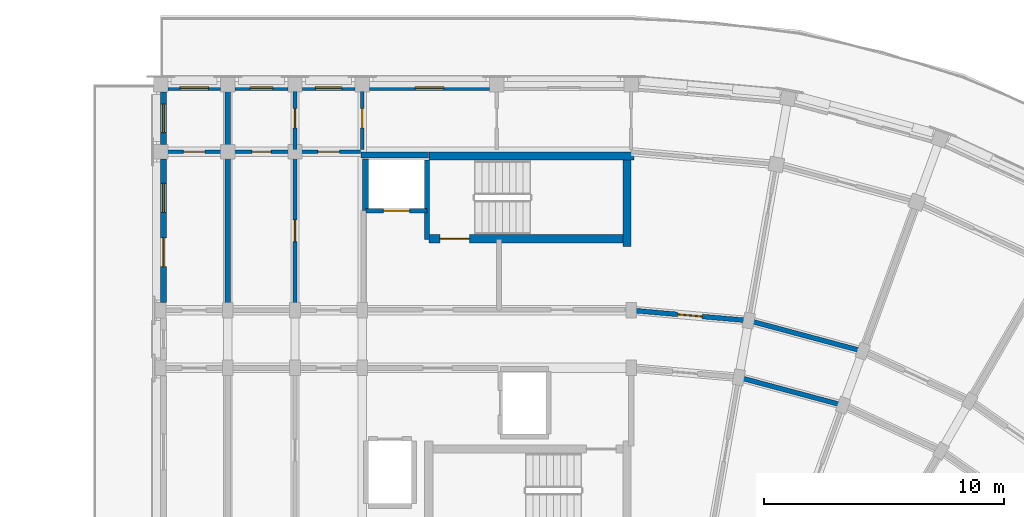
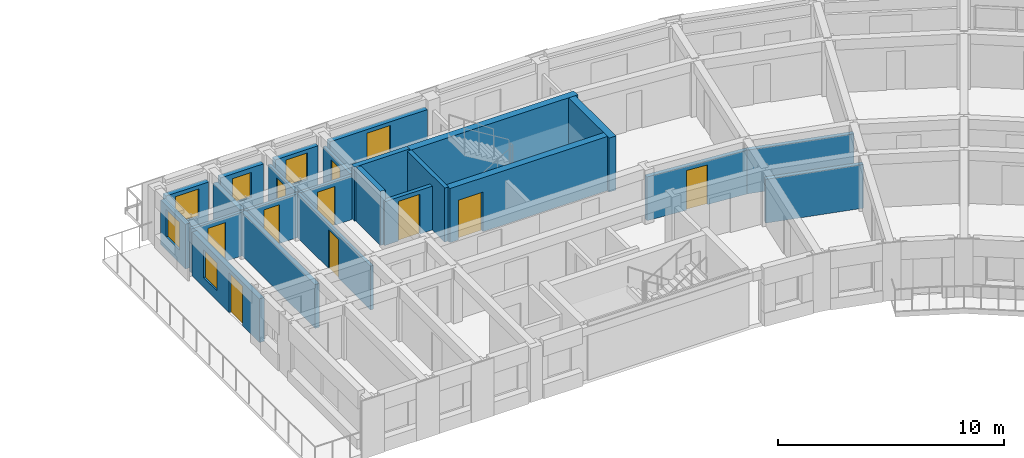
# One storey, part 19 of 36: 24 walls, 10 doors, 6 windows, 16 openings.
"""IFC4 building model written with IfcOpenShell, lengths in metres."""

from ifc_helpers import new_model, si_unit, direction, frame, frame_2d, origin, place, context, subcontext, project, spatial, rectangle, extrude, material, layer, layer_set, type_object, element, fill, save


model = new_model("IFC4")

# Units and contexts
model_context = context("Model", 3, precision=1e-05, world=origin(), true_north=direction((0.0, 1.0)))
body_context = subcontext(model_context, "Body", "Model", "MODEL_VIEW")
ifc_project = project(units=[si_unit("LENGTHUNIT", "METRE"), si_unit("AREAUNIT", "SQUARE_METRE"), si_unit("VOLUMEUNIT", "CUBIC_METRE"), si_unit("PLANEANGLEUNIT", "RADIAN"), si_unit("MASSUNIT", "GRAM", prefix="KILO")], contexts=[model_context])

# Site, building, storey
site_placement = place(None, origin())
site = spatial("IfcSite", under=ifc_project, at=site_placement, CompositionType="ELEMENT")
building_placement = place(site_placement, origin())
building = spatial("IfcBuilding", under=site, at=building_placement, Name="Kiranvali Square Residences", CompositionType="ELEMENT")
storey_placement = place(building_placement, frame((0.0, 0.0, 37.050048828125)))
storey = spatial("IfcBuildingStorey", under=building, at=storey_placement, Name="L11", CompositionType="ELEMENT", Elevation=37.050048828125)

# Wall, opening, door
ifc_material_1 = material(Name="Autoclaved aerated concrete blockwork masonry", Category="masonry")
ifc_layer_1 = layer(ifc_material_1, 0.199951171875)
ifc_layer_set_1 = layer_set([ifc_layer_1], Name="Autoclaved aerated concrete blockwork masonry")
wall_type_1 = type_object("IfcWallType", Name="WL-COR-200", PredefinedType="STANDARD", material=ifc_layer_set_1)
wall_1_placement = place(storey_placement, frame((119.800048828125, 116.0, 0.0), z_axis=(0.0, 0.0, 1.0), x_axis=(0.996193663584, -0.087167566415, 0.0)))
wall_1 = element("IfcWall", 1, at=wall_1_placement, inside=storey, type_object=wall_type_1, Name="L11 architectural wall WL-L11-B-CCO-0", PredefinedType="STANDARD", context=body_context, shape_type="SweptSolid", body=[
    extrude(rectangle(XDim=4.91552734375, YDim=0.199951171875, at=frame_2d((2.457763671875, 0.0))), origin(), (0.0, 0.0, 1.0), 2.3720703125),
])
opening_1_placement = place(wall_1_placement, frame((1.937744140625, 0.0, 0.0)))
opening_1 = element("IfcOpeningElement", 2, at=opening_1_placement, cuts=wall_1, Name="Opening FD-APT-60B", PredefinedType="OPENING", context=body_context, shape_type="SweptSolid", body=[
    extrude(rectangle(XDim=1.0400390625, YDim=2.14990234375, at=frame_2d((0.52001953125, 1.074951171875))), frame((0.0, 0.10986328125, 0.0), z_axis=(0.0, -1.0, 0.0), x_axis=(1.0, 0.0, 0.0)), (0.0, 0.0, 1.0), 0.219970703125),
])
ifc_material_2 = material(Name="Fire-rated acoustic hardwood and mineral-core door assembly", Category="wood")
door_type_1 = type_object("IfcDoorType", Name="DR-APT-1040", OperationType="NOTDEFINED", PredefinedType="DOOR", material=ifc_material_2)
door_1_placement = place(opening_1_placement, origin())
door_1 = element("IfcDoor", 3, at=door_1_placement, inside=storey, type_object=door_type_1, Name="L11 door DR-L11-1667 (DR-APT-1040)", OperationType="SINGLE_SWING_LEFT", OverallHeight=2.14990234375, OverallWidth=1.0400390625, PredefinedType="DOOR", context=body_context, shape_type="SweptSolid", body=[
    extrude(rectangle(XDim=1.0400390625, YDim=2.14990234375, at=frame_2d((0.52001953125, 1.074951171875))), frame((0.0, 0.02490234375, 0.0), z_axis=(0.0, -1.0, 0.0), x_axis=(1.0, 0.0, 0.0)), (0.0, 0.0, 1.0), 0.050048828125),
])
fill(opening_1, door_1)

# Walls
wall_2_placement = place(storey_placement, frame((124.280029296875, 113.2080078125, 0.0), z_axis=(0.0, 0.0, 1.0), x_axis=(0.965934240054, -0.258787642463, 0.0)))
element("IfcWall", 4, at=wall_2_placement, inside=storey, type_object=wall_type_1, Name="L11 architectural wall WL-L11-B-CCI-1", PredefinedType="STANDARD", context=body_context, shape_type="SweptSolid", body=[
    extrude(rectangle(XDim=4.497314453125, YDim=0.199951171875, at=frame_2d((2.24853515625, 0.0))), origin(), (0.0, 0.0, 1.0), 2.3720703125),
])
wall_3_placement = place(storey_placement, frame((124.69677734375, 115.571533203125, 0.0), z_axis=(0.0, 0.0, 1.0), x_axis=(0.965930095386, -0.258803112091, 0.0)))
element("IfcWall", 5, at=wall_3_placement, inside=storey, type_object=wall_type_1, Name="L11 architectural wall WL-L11-B-CCO-1", PredefinedType="STANDARD", context=body_context, shape_type="SweptSolid", body=[
    extrude(rectangle(XDim=4.915771484375, YDim=0.199951171875, at=frame_2d((2.4580078125, 0.0))), origin(), (0.0, 0.0, 1.0), 2.3720703125),
])
ifc_layer_2 = layer(ifc_material_1, 0.219970703125)
ifc_layer_set_2 = layer_set([ifc_layer_2], Name="Autoclaved aerated concrete blockwork masonry")
wall_type_2 = type_object("IfcWallType", Name="WL-DEM-220", PredefinedType="STANDARD", material=ifc_layer_set_2)
wall_4_placement = place(storey_placement, frame((103.0, 116.050048828125, 0.0), z_axis=(0.0, 0.0, 1.0), x_axis=(0.0, 1.0, 0.0)))
element("IfcWall", 6, at=wall_4_placement, inside=storey, type_object=wall_type_2, Name="L11 architectural wall WL-L11-B-A1TO1-2", PredefinedType="STANDARD", context=body_context, shape_type="SweptSolid", body=[
    extrude(rectangle(XDim=6.530029296875, YDim=0.219970703125, at=frame_2d((3.26513671875, 0.0))), origin(), (0.0, 0.0, 1.0), 2.3720703125),
])
wall_5_placement = place(storey_placement, frame((103.0, 122.699951171875, 0.0), z_axis=(0.0, 0.0, 1.0), x_axis=(0.0, 1.0, 0.0)))
element("IfcWall", 7, at=wall_5_placement, inside=storey, type_object=wall_type_2, Name="L11 architectural wall WL-L11-B-A1TO2-2", PredefinedType="STANDARD", context=body_context, shape_type="SweptSolid", body=[
    extrude(rectangle(XDim=2.420166015625, YDim=0.219970703125, at=frame_2d((1.2099609375, 0.0))), origin(), (0.0, 0.0, 1.0), 2.3720703125),
])

# Wall, opening, window
ifc_material_3 = material(Name="Breathable lime-rendered clay brick masonry", Category="masonry")
ifc_layer_3 = layer(ifc_material_3, 0.25)
ifc_layer_set_3 = layer_set([ifc_layer_3], Name="Breathable lime-rendered clay brick masonry")
wall_type_3 = type_object("IfcWallType", Name="WL-EXT-250", PredefinedType="STANDARD", material=ifc_layer_set_3)
wall_6_placement = place(storey_placement, frame((113.896484375, 125.27490234375, 0.0), z_axis=(0.0, 0.0, 1.0), x_axis=(-1.0, 0.0, 0.0)))
wall_6 = element("IfcWall", 8, at=wall_6_placement, inside=storey, type_object=wall_type_3, Name="L11 exterior wall B-L11-A1O-1", PredefinedType="STANDARD", context=body_context, shape_type="SweptSolid", body=[
    extrude(rectangle(XDim=4.992919921875, YDim=0.25, at=frame_2d((2.49658203125, 0.0))), origin(), (0.0, 0.0, 1.0), 2.47998046875),
])
opening_2_placement = place(wall_6_placement, frame((1.896484375, 0.0, 0.780029296875)))
opening_2 = element("IfcOpeningElement", 9, at=opening_2_placement, cuts=wall_6, Name="Opening W-06", PredefinedType="OPENING", context=body_context, shape_type="SweptSolid", body=[
    extrude(rectangle(XDim=1.199951171875, YDim=1.5, at=frame_2d((0.60009765625, 0.75))), frame((0.0, 0.135009765625, 0.0), z_axis=(0.0, -1.0, 0.0), x_axis=(1.0, 0.0, 0.0)), (0.0, 0.0, 1.0), 0.27001953125),
])
ifc_material_4 = material(Name="Solar-control low-e double glazing", Category="glass")
window_type_1 = type_object("IfcWindowType", Name="WIN-RES-1200x1500", PartitioningType="SINGLE_PANEL", PredefinedType="WINDOW", material=ifc_material_4)
window_1_placement = place(opening_2_placement, origin())
window_1 = element("IfcWindow", 10, at=window_1_placement, inside=storey, type_object=window_type_1, Name="L11 recessed window B-L11-A1O-1", OverallHeight=1.5, OverallWidth=1.199951171875, PartitioningType="SINGLE_PANEL", PredefinedType="WINDOW", context=body_context, shape_type="SweptSolid", body=[
    extrude(rectangle(XDim=1.199951171875, YDim=1.5, at=frame_2d((0.60009765625, 0.75))), frame((0.0, 0.030029296875, 0.0), z_axis=(0.0, -1.0, 0.0), x_axis=(1.0, 0.0, 0.0)), (0.0, 0.0, 1.0), 0.06005859375),
])
fill(opening_2, window_1)

wall_7_placement = place(storey_placement, frame((108.29638671875, 125.27490234375, 0.0), z_axis=(0.0, 0.0, 1.0), x_axis=(-1.0, 0.0, 0.0)))
wall_7 = element("IfcWall", 11, at=wall_7_placement, inside=storey, type_object=wall_type_3, Name="L11 exterior wall B-L11-A1O-2", PredefinedType="STANDARD", context=body_context, shape_type="SweptSolid", body=[
    extrude(rectangle(XDim=2.19287109375, YDim=0.25, at=frame_2d((1.096435546875, 0.0))), origin(), (0.0, 0.0, 1.0), 2.47998046875),
])
opening_3_placement = place(wall_7_placement, frame((0.54638671875, 0.0, 0.830078125)))
opening_3 = element("IfcOpeningElement", 12, at=opening_3_placement, cuts=wall_7, Name="Opening W-15", PredefinedType="OPENING", context=body_context, shape_type="SweptSolid", body=[
    extrude(rectangle(XDim=1.10009765625, YDim=1.449951171875, at=frame_2d((0.550048828125, 0.72509765625))), frame((0.0, 0.135009765625, 0.0), z_axis=(0.0, -1.0, 0.0), x_axis=(1.0, 0.0, 0.0)), (0.0, 0.0, 1.0), 0.27001953125),
])
window_type_2 = type_object("IfcWindowType", Name="WIN-RES-1100x1450", PartitioningType="SINGLE_PANEL", PredefinedType="WINDOW", material=ifc_material_4)
window_2_placement = place(opening_3_placement, origin())
window_2 = element("IfcWindow", 13, at=window_2_placement, inside=storey, type_object=window_type_2, Name="L11 recessed window B-L11-A1O-2", OverallHeight=1.449951171875, OverallWidth=1.10009765625, PartitioningType="SINGLE_PANEL", PredefinedType="WINDOW", context=body_context, shape_type="SweptSolid", body=[
    extrude(rectangle(XDim=1.10009765625, YDim=1.449951171875, at=frame_2d((0.550048828125, 0.72509765625))), frame((0.0, 0.030029296875, 0.0), z_axis=(0.0, -1.0, 0.0), x_axis=(1.0, 0.0, 0.0)), (0.0, 0.0, 1.0), 0.06005859375),
])
fill(opening_3, window_2)

wall_8_placement = place(storey_placement, frame((105.49658203125, 125.27490234375, 0.0), z_axis=(0.0, 0.0, 1.0), x_axis=(-1.0, 0.0, 0.0)))
wall_8 = element("IfcWall", 14, at=wall_8_placement, inside=storey, type_object=wall_type_3, Name="L11 exterior wall B-L11-A1O-3", PredefinedType="STANDARD", context=body_context, shape_type="SweptSolid", body=[
    extrude(rectangle(XDim=2.193115234375, YDim=0.25, at=frame_2d((1.0966796875, 0.0))), origin(), (0.0, 0.0, 1.0), 2.47998046875),
])
opening_4_placement = place(wall_8_placement, frame((0.62158203125, 0.0, 0.8798828125)))
opening_4 = element("IfcOpeningElement", 15, at=opening_4_placement, cuts=wall_8, Name="Opening W-16", PredefinedType="OPENING", context=body_context, shape_type="SweptSolid", body=[
    extrude(rectangle(XDim=0.949951171875, YDim=1.35009765625, at=frame_2d((0.47509765625, 0.675048828125))), frame((0.0, 0.135009765625, 0.0), z_axis=(0.0, -1.0, 0.0), x_axis=(1.0, 0.0, 0.0)), (0.0, 0.0, 1.0), 0.27001953125),
])
window_type_3 = type_object("IfcWindowType", Name="WIN-RES-950x1350", PartitioningType="SINGLE_PANEL", PredefinedType="WINDOW", material=ifc_material_4)
window_3_placement = place(opening_4_placement, origin())
window_3 = element("IfcWindow", 16, at=window_3_placement, inside=storey, type_object=window_type_3, Name="L11 recessed window B-L11-A1O-3", OverallHeight=1.35009765625, OverallWidth=0.949951171875, PartitioningType="SINGLE_PANEL", PredefinedType="WINDOW", context=body_context, shape_type="SweptSolid", body=[
    extrude(rectangle(XDim=0.949951171875, YDim=1.35009765625, at=frame_2d((0.47509765625, 0.675048828125))), frame((0.0, 0.030029296875, 0.0), z_axis=(0.0, -1.0, 0.0), x_axis=(1.0, 0.0, 0.0)), (0.0, 0.0, 1.0), 0.06005859375),
])
fill(opening_4, window_3)

wall_9_placement = place(storey_placement, frame((102.696533203125, 125.27490234375, 0.0), z_axis=(0.0, 0.0, 1.0), x_axis=(-1.0, 0.0, 0.0)))
wall_9 = element("IfcWall", 17, at=wall_9_placement, inside=storey, type_object=wall_type_3, Name="L11 exterior wall B-L11-A1O-4", PredefinedType="STANDARD", context=body_context, shape_type="SweptSolid", body=[
    extrude(rectangle(XDim=2.193115234375, YDim=0.25, at=frame_2d((1.0966796875, 0.0))), origin(), (0.0, 0.0, 1.0), 2.47998046875),
])
opening_5_placement = place(wall_9_placement, frame((0.49658203125, 0.0, 0.780029296875)))
opening_5 = element("IfcOpeningElement", 18, at=opening_5_placement, cuts=wall_9, Name="Opening W-06", PredefinedType="OPENING", context=body_context, shape_type="SweptSolid", body=[
    extrude(rectangle(XDim=1.199951171875, YDim=1.5, at=frame_2d((0.60009765625, 0.75))), frame((0.0, 0.135009765625, 0.0), z_axis=(0.0, -1.0, 0.0), x_axis=(1.0, 0.0, 0.0)), (0.0, 0.0, 1.0), 0.27001953125),
])
window_4_placement = place(opening_5_placement, origin())
window_4 = element("IfcWindow", 19, at=window_4_placement, inside=storey, type_object=window_type_1, Name="L11 recessed window B-L11-A1O-4", OverallHeight=1.5, OverallWidth=1.199951171875, PartitioningType="SINGLE_PANEL", PredefinedType="WINDOW", context=body_context, shape_type="SweptSolid", body=[
    extrude(rectangle(XDim=1.199951171875, YDim=1.5, at=frame_2d((0.60009765625, 0.75))), frame((0.0, 0.030029296875, 0.0), z_axis=(0.0, -1.0, 0.0), x_axis=(1.0, 0.0, 0.0)), (0.0, 0.0, 1.0), 0.06005859375),
])
fill(opening_5, window_4)

# Wall, openings, door, window
wall_10_placement = place(storey_placement, frame((100.324951171875, 116.32861328125, 0.0), z_axis=(0.0, 0.0, 1.0), x_axis=(0.0, 1.0, 0.0)))
wall_10 = element("IfcWall", 20, at=wall_10_placement, inside=storey, type_object=wall_type_3, Name="L11 exterior wall B-L11-A1END-2", PredefinedType="STANDARD", context=body_context, shape_type="SweptSolid", body=[
    extrude(rectangle(XDim=5.9677734375, YDim=0.25, at=frame_2d((2.98388671875, 0.0))), origin(), (0.0, 0.0, 1.0), 2.3720703125),
])
opening_6_placement = place(wall_10_placement, frame((3.75390625, 0.0, 0.52197265625)))
opening_6 = element("IfcOpeningElement", 21, at=opening_6_placement, cuts=wall_10, Name="Opening W-06", PredefinedType="OPENING", context=body_context, shape_type="SweptSolid", body=[
    extrude(rectangle(XDim=1.199951171875, YDim=1.5, at=frame_2d((0.60009765625, 0.75))), frame((0.0, 0.135009765625, 0.0), z_axis=(0.0, -1.0, 0.0), x_axis=(1.0, 0.0, 0.0)), (0.0, 0.0, 1.0), 0.27001953125),
])
opening_7_placement = place(wall_10_placement, frame((1.48876953125, 0.0, 0.0)))
opening_7 = element("IfcOpeningElement", 22, at=opening_7_placement, cuts=wall_10, Name="Opening ED-BAL-1", PredefinedType="OPENING", context=body_context, shape_type="SweptSolid", body=[
    extrude(rectangle(XDim=1.199951171875, YDim=2.14990234375, at=frame_2d((0.60009765625, 1.074951171875))), frame((0.0, 0.135009765625, 0.0), z_axis=(0.0, -1.0, 0.0), x_axis=(1.0, 0.0, 0.0)), (0.0, 0.0, 1.0), 0.27001953125),
])
ifc_material_5 = material(Name="Anodised bronze aluminium framing", Category="aluminium")
door_type_2 = type_object("IfcDoorType", Name="DR-BAL-1200", OperationType="NOTDEFINED", PredefinedType="DOOR", material=ifc_material_5)
door_2_placement = place(opening_7_placement, origin())
door_2 = element("IfcDoor", 23, at=door_2_placement, inside=storey, type_object=door_type_2, Name="L11 balcony terrace door", OperationType="SINGLE_SWING_RIGHT", OverallHeight=2.14990234375, OverallWidth=1.199951171875, PredefinedType="DOOR", context=body_context, shape_type="SweptSolid", body=[
    extrude(rectangle(XDim=1.199951171875, YDim=2.14990234375, at=frame_2d((0.60009765625, 1.074951171875))), frame((0.0, 0.02490234375, 0.0), z_axis=(0.0, -1.0, 0.0), x_axis=(1.0, 0.0, 0.0)), (0.0, 0.0, 1.0), 0.050048828125),
])
fill(opening_7, door_2)
window_5_placement = place(opening_6_placement, origin())
window_5 = element("IfcWindow", 24, at=window_5_placement, inside=storey, type_object=window_type_1, Name="L11 recessed window B-L11-A1END-2", OverallHeight=1.5, OverallWidth=1.199951171875, PartitioningType="SINGLE_PANEL", PredefinedType="WINDOW", context=body_context, shape_type="SweptSolid", body=[
    extrude(rectangle(XDim=1.199951171875, YDim=1.5, at=frame_2d((0.60009765625, 0.75))), frame((0.0, 0.030029296875, 0.0), z_axis=(0.0, -1.0, 0.0), x_axis=(1.0, 0.0, 0.0)), (0.0, 0.0, 1.0), 0.06005859375),
])
fill(opening_6, window_5)

# Wall, opening, window
wall_11_placement = place(storey_placement, frame((100.324951171875, 122.903564453125, 0.0), z_axis=(0.0, 0.0, 1.0), x_axis=(0.0, 1.0, 0.0)))
wall_11 = element("IfcWall", 25, at=wall_11_placement, inside=storey, type_object=wall_type_3, Name="L11 exterior wall B-L11-A1END-3", PredefinedType="STANDARD", context=body_context, shape_type="SweptSolid", body=[
    extrude(rectangle(XDim=2.19287109375, YDim=0.25, at=frame_2d((1.096435546875, 0.0))), origin(), (0.0, 0.0, 1.0), 2.411865234375),
])
opening_8_placement = place(wall_11_placement, frame((0.49658203125, 0.0, 0.7119140625)))
opening_8 = element("IfcOpeningElement", 26, at=opening_8_placement, cuts=wall_11, Name="Opening W-06", PredefinedType="OPENING", context=body_context, shape_type="SweptSolid", body=[
    extrude(rectangle(XDim=1.199951171875, YDim=1.5, at=frame_2d((0.60009765625, 0.75))), frame((0.0, 0.135009765625, 0.0), z_axis=(0.0, -1.0, 0.0), x_axis=(1.0, 0.0, 0.0)), (0.0, 0.0, 1.0), 0.27001953125),
])
window_6_placement = place(opening_8_placement, origin())
window_6 = element("IfcWindow", 27, at=window_6_placement, inside=storey, type_object=window_type_1, Name="L11 recessed window B-L11-A1END-3", OverallHeight=1.5, OverallWidth=1.199951171875, PartitioningType="SINGLE_PANEL", PredefinedType="WINDOW", context=body_context, shape_type="SweptSolid", body=[
    extrude(rectangle(XDim=1.199951171875, YDim=1.5, at=frame_2d((0.60009765625, 0.75))), frame((0.0, 0.030029296875, 0.0), z_axis=(0.0, -1.0, 0.0), x_axis=(1.0, 0.0, 0.0)), (0.0, 0.0, 1.0), 0.06005859375),
])
fill(opening_8, window_6)

# Wall, opening, door
ifc_layer_4 = layer(ifc_material_1, 0.199951171875)
ifc_layer_set_4 = layer_set([ifc_layer_4], Name="Autoclaved aerated concrete blockwork masonry")
wall_type_4 = type_object("IfcWallType", Name="WL-FFL-200", PredefinedType="STANDARD", material=ifc_layer_set_4)
wall_12_placement = place(storey_placement, frame((111.300048828125, 120.14990234375, 0.0), z_axis=(0.0, 0.0, 1.0), x_axis=(-1.0, 0.0, 0.0)))
wall_12 = element("IfcWall", 28, at=wall_12_placement, inside=storey, type_object=wall_type_4, Name="L11 architectural wall WL-L11-B-FF-LFT", PredefinedType="STANDARD", context=body_context, shape_type="SweptSolid", body=[
    extrude(rectangle(XDim=2.550048828125, YDim=0.199951171875, at=frame_2d((1.27490234375, 0.0))), origin(), (0.0, 0.0, 1.0), 2.3720703125),
])
opening_9_placement = place(wall_12_placement, frame((0.72509765625, 0.0, 0.0)))
opening_9 = element("IfcOpeningElement", 29, at=opening_9_placement, cuts=wall_12, Name="Opening LD-FF-110", PredefinedType="OPENING", context=body_context, shape_type="SweptSolid", body=[
    extrude(rectangle(XDim=1.10009765625, YDim=2.14990234375, at=frame_2d((0.550048828125, 1.074951171875))), frame((0.0, 0.10986328125, 0.0), z_axis=(0.0, -1.0, 0.0), x_axis=(1.0, 0.0, 0.0)), (0.0, 0.0, 1.0), 0.219970703125),
])
door_type_3 = type_object("IfcDoorType", Name="DR-LIFT-FF-1100", OperationType="SLIDING_TO_LEFT", PredefinedType="DOOR", material=ifc_material_2)
door_3_placement = place(opening_9_placement, origin())
door_3 = element("IfcDoor", 30, at=door_3_placement, inside=storey, type_object=door_type_3, Name="L11 door DR-L11-1635 (DR-LIFT-FF-1100)", OperationType="SLIDING_TO_LEFT", OverallHeight=2.14990234375, OverallWidth=1.10009765625, PredefinedType="DOOR", context=body_context, shape_type="SweptSolid", body=[
    extrude(rectangle(XDim=1.10009765625, YDim=2.14990234375, at=frame_2d((0.550048828125, 1.074951171875))), frame((0.0, 0.02490234375, 0.0), z_axis=(0.0, -1.0, 0.0), x_axis=(1.0, 0.0, 0.0)), (0.0, 0.0, 1.0), 0.050048828125),
])
fill(opening_9, door_3)

ifc_material_6 = material(Name="Acoustic gypsum board drylined partition", Category="gypsum")
ifc_layer_5 = layer(ifc_material_6, 0.14990234375)
ifc_layer_set_5 = layer_set([ifc_layer_5], Name="Acoustic gypsum board drylined partition")
wall_type_5 = type_object("IfcWallType", Name="WL-PRT-150", PredefinedType="PARTITIONING", material=ifc_layer_set_5)
wall_13_placement = place(storey_placement, frame((108.60009765625, 122.699951171875, 0.0), z_axis=(0.0, 0.0, 1.0), x_axis=(0.0, 1.0, 0.0)))
wall_13 = element("IfcWall", 31, at=wall_13_placement, inside=storey, type_object=wall_type_5, Name="L11 architectural wall WL-L11-B-A1TO2-0", PredefinedType="PARTITIONING", context=body_context, shape_type="SweptSolid", body=[
    extrude(rectangle(XDim=2.420166015625, YDim=0.14990234375, at=frame_2d((1.2099609375, 0.0))), origin(), (0.0, 0.0, 1.0), 2.3720703125),
])
opening_10_placement = place(wall_13_placement, frame((0.89990234375, 0.0, 0.0)))
opening_10 = element("IfcOpeningElement", 32, at=opening_10_placement, cuts=wall_13, Name="Opening ID-WET", PredefinedType="OPENING", context=body_context, shape_type="SweptSolid", body=[
    extrude(rectangle(XDim=0.800048828125, YDim=2.10009765625, at=frame_2d((0.39990234375, 1.050048828125))), frame((0.0, 0.0849609375, 0.0), z_axis=(0.0, -1.0, 0.0), x_axis=(1.0, 0.0, 0.0)), (0.0, 0.0, 1.0), 0.169921875),
])
ifc_material_7 = material(Name="Solid seasoned teak hardwood joinery", Category="wood")
door_type_4 = type_object("IfcDoorType", Name="DR-WET-800", OperationType="NOTDEFINED", PredefinedType="DOOR", material=ifc_material_7)
door_4_placement = place(opening_10_placement, frame((0.800048828125, 0.0, 0.0), z_axis=(0.0, 0.0, 1.0), x_axis=(-1.0, 0.0, 0.0)))
door_4 = element("IfcDoor", 33, at=door_4_placement, inside=storey, type_object=door_type_4, Name="L11 door DR-L11-1652 (DR-WET-800)", OperationType="SINGLE_SWING_RIGHT", OverallHeight=2.10009765625, OverallWidth=0.800048828125, PredefinedType="DOOR", context=body_context, shape_type="SweptSolid", body=[
    extrude(rectangle(XDim=0.800048828125, YDim=2.10009765625, at=frame_2d((0.39990234375, 1.050048828125))), frame((0.0, 0.02490234375, 0.0), z_axis=(0.0, -1.0, 0.0), x_axis=(1.0, 0.0, 0.0)), (0.0, 0.0, 1.0), 0.050048828125),
])
fill(opening_10, door_4)

wall_14_placement = place(storey_placement, frame((105.800048828125, 116.050048828125, 0.0), z_axis=(0.0, 0.0, 1.0), x_axis=(0.0, 1.0, 0.0)))
wall_14 = element("IfcWall", 34, at=wall_14_placement, inside=storey, type_object=wall_type_5, Name="L11 architectural wall WL-L11-B-A1TO1-1", PredefinedType="PARTITIONING", context=body_context, shape_type="SweptSolid", body=[
    extrude(rectangle(XDim=6.530029296875, YDim=0.14990234375, at=frame_2d((3.26513671875, 0.0))), origin(), (0.0, 0.0, 1.0), 2.3720703125),
])
opening_11_placement = place(wall_14_placement, frame((2.81494140625, 0.0, 0.0)))
opening_11 = element("IfcOpeningElement", 35, at=opening_11_placement, cuts=wall_14, Name="Opening ID-1", PredefinedType="OPENING", context=body_context, shape_type="SweptSolid", body=[
    extrude(rectangle(XDim=0.89990234375, YDim=2.10009765625, at=frame_2d((0.449951171875, 1.050048828125))), frame((0.0, 0.0849609375, 0.0), z_axis=(0.0, -1.0, 0.0), x_axis=(1.0, 0.0, 0.0)), (0.0, 0.0, 1.0), 0.169921875),
])
door_type_5 = type_object("IfcDoorType", Name="DR-INT-900", OperationType="NOTDEFINED", PredefinedType="DOOR", material=ifc_material_7)
door_5_placement = place(opening_11_placement, frame((0.89990234375, 0.0, 0.0), z_axis=(0.0, 0.0, 1.0), x_axis=(-1.0, 0.0, 0.0)))
door_5 = element("IfcDoor", 36, at=door_5_placement, inside=storey, type_object=door_type_5, Name="L11 door DR-L11-1654 (DR-INT-900)", OperationType="SINGLE_SWING_RIGHT", OverallHeight=2.10009765625, OverallWidth=0.89990234375, PredefinedType="DOOR", context=body_context, shape_type="SweptSolid", body=[
    extrude(rectangle(XDim=0.89990234375, YDim=2.10009765625, at=frame_2d((0.449951171875, 1.050048828125))), frame((0.0, 0.02490234375, 0.0), z_axis=(0.0, -1.0, 0.0), x_axis=(1.0, 0.0, 0.0)), (0.0, 0.0, 1.0), 0.050048828125),
])
fill(opening_11, door_5)

wall_15_placement = place(storey_placement, frame((105.800048828125, 122.699951171875, 0.0), z_axis=(0.0, 0.0, 1.0), x_axis=(0.0, 1.0, 0.0)))
wall_15 = element("IfcWall", 37, at=wall_15_placement, inside=storey, type_object=wall_type_5, Name="L11 architectural wall WL-L11-B-A1TO2-1", PredefinedType="PARTITIONING", context=body_context, shape_type="SweptSolid", body=[
    extrude(rectangle(XDim=2.420166015625, YDim=0.14990234375, at=frame_2d((1.2099609375, 0.0))), origin(), (0.0, 0.0, 1.0), 2.3720703125),
])
opening_12_placement = place(wall_15_placement, frame((0.89990234375, 0.0, 0.0)))
opening_12 = element("IfcOpeningElement", 38, at=opening_12_placement, cuts=wall_15, Name="Opening ID-WET", PredefinedType="OPENING", context=body_context, shape_type="SweptSolid", body=[
    extrude(rectangle(XDim=0.800048828125, YDim=2.10009765625, at=frame_2d((0.39990234375, 1.050048828125))), frame((0.0, 0.0849609375, 0.0), z_axis=(0.0, -1.0, 0.0), x_axis=(1.0, 0.0, 0.0)), (0.0, 0.0, 1.0), 0.169921875),
])
door_6_placement = place(opening_12_placement, origin())
door_6 = element("IfcDoor", 39, at=door_6_placement, inside=storey, type_object=door_type_4, Name="L11 door DR-L11-1655 (DR-WET-800)", OperationType="SINGLE_SWING_LEFT", OverallHeight=2.10009765625, OverallWidth=0.800048828125, PredefinedType="DOOR", context=body_context, shape_type="SweptSolid", body=[
    extrude(rectangle(XDim=0.800048828125, YDim=2.10009765625, at=frame_2d((0.39990234375, 1.050048828125))), frame((0.0, 0.02490234375, 0.0), z_axis=(0.0, -1.0, 0.0), x_axis=(1.0, 0.0, 0.0)), (0.0, 0.0, 1.0), 0.050048828125),
])
fill(opening_12, door_6)

# Walls
ifc_layer_6 = layer(ifc_material_1, 0.199951171875)
ifc_layer_set_6 = layer_set([ifc_layer_6], Name="Autoclaved aerated concrete blockwork masonry")
wall_type_6 = type_object("IfcWallType", Name="WL-SHF-200", PredefinedType="STANDARD", material=ifc_layer_set_6)
wall_16_placement = place(storey_placement, frame((111.300048828125, 118.949951171875, 0.0), z_axis=(0.0, 0.0, 1.0), x_axis=(0.0, 1.0, 0.0)))
element("IfcWall", 40, at=wall_16_placement, inside=storey, type_object=wall_type_6, Name="L11 architectural wall WL-L11-B-FF-SHF", PredefinedType="STANDARD", context=body_context, shape_type="SweptSolid", body=[
    extrude(rectangle(XDim=3.300048828125, YDim=0.199951171875, at=frame_2d((1.64990234375, 0.0))), origin(), (0.0, 0.0, 1.0), 2.929931640625),
])
ifc_material_8 = material(Name="Concrete M45 (45 MPa)", Category="concrete")
ifc_layer_7 = layer(ifc_material_8, 0.25)
ifc_layer_set_7 = layer_set([ifc_layer_7], Name="Concrete M45 (45 MPa)")
wall_type_7 = type_object("IfcWallType", Name="WL-SHR-250", PredefinedType="SHEAR", material=ifc_layer_set_7)
wall_17_placement = place(storey_placement, frame((111.35009765625, 122.47509765625, 0.0), z_axis=(0.0, 0.0, 1.0), x_axis=(-1.0, 0.0, 0.0)))
element("IfcWall", 41, at=wall_17_placement, inside=storey, type_object=wall_type_7, Name="Block B core shear wall SW-BFF-BK-L11", PredefinedType="SHEAR", context=body_context, shape_type="SweptSolid", body=[
    extrude(rectangle(XDim=2.800048828125, YDim=0.25, at=frame_2d((1.39990234375, 0.0))), origin(), (0.0, 0.0, 1.0), 2.929931640625),
])
wall_18_placement = place(storey_placement, frame((108.72509765625, 120.14990234375, 0.0), z_axis=(0.0, 0.0, 1.0), x_axis=(0.0, 1.0, 0.0)))
element("IfcWall", 42, at=wall_18_placement, inside=storey, type_object=wall_type_7, Name="Block B core shear wall SW-BFF-SD-L11", PredefinedType="SHEAR", context=body_context, shape_type="SweptSolid", body=[
    extrude(rectangle(XDim=2.150146484375, YDim=0.25, at=frame_2d((1.0751953125, 0.0))), origin(), (0.0, 0.0, 1.0), 2.929931640625),
])
ifc_layer_8 = layer(ifc_material_8, 0.320068359375)
ifc_layer_set_8 = layer_set([ifc_layer_8], Name="Concrete M45 (45 MPa)")
wall_type_8 = type_object("IfcWallType", Name="WL-SHR-320", PredefinedType="SHEAR", material=ifc_layer_set_8)
wall_19_placement = place(storey_placement, frame((119.919921875, 122.425048828125, 0.0), z_axis=(0.0, 0.0, 1.0), x_axis=(-1.0, 0.0, 0.0)))
element("IfcWall", 43, at=wall_19_placement, inside=storey, type_object=wall_type_8, Name="Block B core shear wall SW-B1-OUT-L11", PredefinedType="SHEAR", context=body_context, shape_type="SweptSolid", body=[
    extrude(rectangle(XDim=8.544921875, YDim=0.35009765625, at=frame_2d((4.2724609375, 0.0))), origin(), (0.0, 0.0, 1.0), 2.929931640625),
])

# Wall, opening, door
wall_20_placement = place(storey_placement, frame((119.449951171875, 118.97509765625, 0.0), z_axis=(0.0, 0.0, 1.0), x_axis=(-1.0, 0.0, 0.0)))
wall_20 = element("IfcWall", 44, at=wall_20_placement, inside=storey, type_object=wall_type_8, Name="Block B core shear wall SW-B1-IN-L11", PredefinedType="SHEAR", context=body_context, shape_type="SweptSolid", body=[
    extrude(rectangle(XDim=8.074951171875, YDim=0.35009765625, at=frame_2d((4.03759765625, 0.0))), origin(), (0.0, 0.0, 1.0), 2.929931640625),
])
opening_13_placement = place(wall_20_placement, frame((6.3798828125, 0.0, 0.0)))
opening_13 = element("IfcOpeningElement", 45, at=opening_13_placement, cuts=wall_20, Name="Opening FD-ST-120", PredefinedType="OPENING", context=body_context, shape_type="SweptSolid", body=[
    extrude(rectangle(XDim=1.239990234375, YDim=2.14990234375, at=frame_2d((0.6201171875, 1.074951171875))), frame((0.0, 0.18505859375, 0.0), z_axis=(0.0, -1.0, 0.0), x_axis=(1.0, 0.0, 0.0)), (0.0, 0.0, 1.0), 0.3701171875),
])
door_type_6 = type_object("IfcDoorType", Name="DR-FD120-1200", OperationType="NOTDEFINED", PredefinedType="DOOR", material=ifc_material_2)
door_7_placement = place(opening_13_placement, frame((1.239990234375, 0.0, 0.0), z_axis=(0.0, 0.0, 1.0), x_axis=(-1.0, 0.0, 0.0)))
door_7 = element("IfcDoor", 46, at=door_7_placement, inside=storey, type_object=door_type_6, Name="L11 door DR-L11-1636 (DR-FD120-1200)", OperationType="SINGLE_SWING_RIGHT", OverallHeight=2.14990234375, OverallWidth=1.239990234375, PredefinedType="DOOR", context=body_context, shape_type="SweptSolid", body=[
    extrude(rectangle(XDim=1.239990234375, YDim=2.14990234375, at=frame_2d((0.6201171875, 1.074951171875))), frame((0.0, 0.02490234375, 0.0), z_axis=(0.0, -1.0, 0.0), x_axis=(1.0, 0.0, 0.0)), (0.0, 0.0, 1.0), 0.050048828125),
])
fill(opening_13, door_7)

# Wall
wall_21_placement = place(storey_placement, frame((119.625, 118.64990234375, 0.0), z_axis=(0.0, 0.0, 1.0), x_axis=(0.0, 1.0, 0.0)))
element("IfcWall", 47, at=wall_21_placement, inside=storey, type_object=wall_type_8, Name="Block B core shear wall SW-B1-FAR-L11", PredefinedType="SHEAR", context=body_context, shape_type="SweptSolid", body=[
    extrude(rectangle(XDim=3.60009765625, YDim=0.35009765625, at=frame_2d((1.800048828125, 0.0))), origin(), (0.0, 0.0, 1.0), 2.929931640625),
])

# Wall, opening, door
ifc_layer_9 = layer(ifc_material_1, 0.14990234375)
ifc_layer_set_9 = layer_set([ifc_layer_9], Name="Autoclaved aerated concrete blockwork masonry")
wall_type_9 = type_object("IfcWallType", Name="WL-WET-150", PredefinedType="PLUMBINGWALL", material=ifc_layer_set_9)
wall_22_placement = place(storey_placement, frame((108.52001953125, 122.60009765625, 0.0), z_axis=(0.0, 0.0, 1.0), x_axis=(-1.0, 0.0, 0.0)))
wall_22 = element("IfcWall", 48, at=wall_22_placement, inside=storey, type_object=wall_type_9, Name="L11 architectural wall WL-L11-B-A1SP-0", PredefinedType="PLUMBINGWALL", context=body_context, shape_type="SweptSolid", body=[
    extrude(rectangle(XDim=2.64013671875, YDim=0.14990234375, at=frame_2d((1.320068359375, 0.0))), origin(), (0.0, 0.0, 1.0), 2.3720703125),
])
opening_14_placement = place(wall_22_placement, frame((0.8701171875, 0.0, 0.0)))
opening_14 = element("IfcOpeningElement", 49, at=opening_14_placement, cuts=wall_22, Name="Opening ID-1", PredefinedType="OPENING", context=body_context, shape_type="SweptSolid", body=[
    extrude(rectangle(XDim=0.89990234375, YDim=2.10009765625, at=frame_2d((0.449951171875, 1.050048828125))), frame((0.0, 0.0849609375, 0.0), z_axis=(0.0, -1.0, 0.0), x_axis=(1.0, 0.0, 0.0)), (0.0, 0.0, 1.0), 0.169921875),
])
door_8_placement = place(opening_14_placement, frame((0.89990234375, 0.0, 0.0), z_axis=(0.0, 0.0, 1.0), x_axis=(-1.0, 0.0, 0.0)))
door_8 = element("IfcDoor", 50, at=door_8_placement, inside=storey, type_object=door_type_5, Name="L11 door DR-L11-1646 (DR-INT-900)", OperationType="SINGLE_SWING_RIGHT", OverallHeight=2.10009765625, OverallWidth=0.89990234375, PredefinedType="DOOR", context=body_context, shape_type="SweptSolid", body=[
    extrude(rectangle(XDim=0.89990234375, YDim=2.10009765625, at=frame_2d((0.449951171875, 1.050048828125))), frame((0.0, 0.02490234375, 0.0), z_axis=(0.0, -1.0, 0.0), x_axis=(1.0, 0.0, 0.0)), (0.0, 0.0, 1.0), 0.050048828125),
])
fill(opening_14, door_8)

wall_23_placement = place(storey_placement, frame((105.719970703125, 122.60009765625, 0.0), z_axis=(0.0, 0.0, 1.0), x_axis=(-1.0, 0.0, 0.0)))
wall_23 = element("IfcWall", 51, at=wall_23_placement, inside=storey, type_object=wall_type_9, Name="L11 architectural wall WL-L11-B-A1SP-1", PredefinedType="PLUMBINGWALL", context=body_context, shape_type="SweptSolid", body=[
    extrude(rectangle(XDim=2.639892578125, YDim=0.14990234375, at=frame_2d((1.31982421875, 0.0))), origin(), (0.0, 0.0, 1.0), 2.3720703125),
])
opening_15_placement = place(wall_23_placement, frame((0.919921875, 0.0, 0.0)))
opening_15 = element("IfcOpeningElement", 52, at=opening_15_placement, cuts=wall_23, Name="Opening ID-WET", PredefinedType="OPENING", context=body_context, shape_type="SweptSolid", body=[
    extrude(rectangle(XDim=0.800048828125, YDim=2.10009765625, at=frame_2d((0.39990234375, 1.050048828125))), frame((0.0, 0.0849609375, 0.0), z_axis=(0.0, -1.0, 0.0), x_axis=(1.0, 0.0, 0.0)), (0.0, 0.0, 1.0), 0.169921875),
])
door_9_placement = place(opening_15_placement, frame((0.800048828125, 0.0, 0.0), z_axis=(0.0, 0.0, 1.0), x_axis=(-1.0, 0.0, 0.0)))
door_9 = element("IfcDoor", 53, at=door_9_placement, inside=storey, type_object=door_type_4, Name="L11 door DR-L11-1648 (DR-WET-800)", OperationType="SINGLE_SWING_RIGHT", OverallHeight=2.10009765625, OverallWidth=0.800048828125, PredefinedType="DOOR", context=body_context, shape_type="SweptSolid", body=[
    extrude(rectangle(XDim=0.800048828125, YDim=2.10009765625, at=frame_2d((0.39990234375, 1.050048828125))), frame((0.0, 0.02490234375, 0.0), z_axis=(0.0, -1.0, 0.0), x_axis=(1.0, 0.0, 0.0)), (0.0, 0.0, 1.0), 0.050048828125),
])
fill(opening_15, door_9)

wall_24_placement = place(storey_placement, frame((102.919921875, 122.60009765625, 0.0), z_axis=(0.0, 0.0, 1.0), x_axis=(-1.0, 0.0, 0.0)))
wall_24 = element("IfcWall", 54, at=wall_24_placement, inside=storey, type_object=wall_type_9, Name="L11 architectural wall WL-L11-B-A1SP-2", PredefinedType="PLUMBINGWALL", context=body_context, shape_type="SweptSolid", body=[
    extrude(rectangle(XDim=2.639892578125, YDim=0.14990234375, at=frame_2d((1.31982421875, 0.0))), origin(), (0.0, 0.0, 1.0), 2.3720703125),
])
opening_16_placement = place(wall_24_placement, frame((0.8701171875, 0.0, 0.0)))
opening_16 = element("IfcOpeningElement", 55, at=opening_16_placement, cuts=wall_24, Name="Opening ID-1", PredefinedType="OPENING", context=body_context, shape_type="SweptSolid", body=[
    extrude(rectangle(XDim=0.89990234375, YDim=2.10009765625, at=frame_2d((0.449951171875, 1.050048828125))), frame((0.0, 0.0849609375, 0.0), z_axis=(0.0, -1.0, 0.0), x_axis=(1.0, 0.0, 0.0)), (0.0, 0.0, 1.0), 0.169921875),
])
door_10_placement = place(opening_16_placement, frame((0.89990234375, 0.0, 0.0), z_axis=(0.0, 0.0, 1.0), x_axis=(-1.0, 0.0, 0.0)))
door_10 = element("IfcDoor", 56, at=door_10_placement, inside=storey, type_object=door_type_5, Name="L11 door DR-L11-1650 (DR-INT-900)", OperationType="SINGLE_SWING_RIGHT", OverallHeight=2.10009765625, OverallWidth=0.89990234375, PredefinedType="DOOR", context=body_context, shape_type="SweptSolid", body=[
    extrude(rectangle(XDim=0.89990234375, YDim=2.10009765625, at=frame_2d((0.449951171875, 1.050048828125))), frame((0.0, 0.02490234375, 0.0), z_axis=(0.0, -1.0, 0.0), x_axis=(1.0, 0.0, 0.0)), (0.0, 0.0, 1.0), 0.050048828125),
])
fill(opening_16, door_10)

save(model, "model.ifc")
